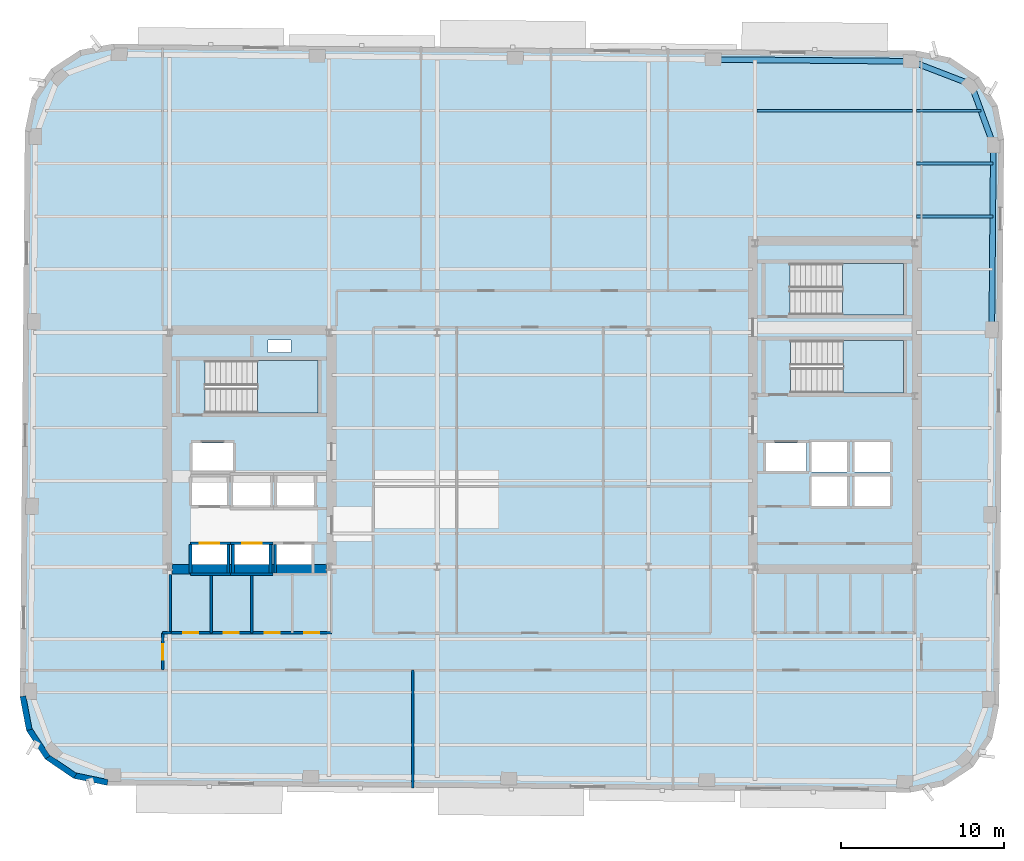
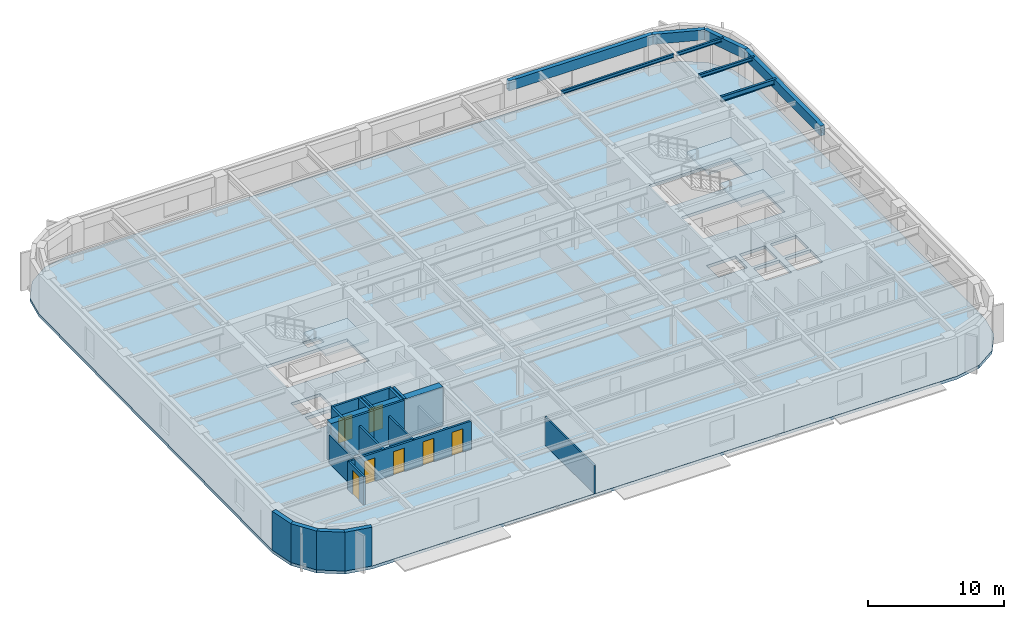
# One storey, part 3 of 12: 21 walls, 8 beams, 7 doors, 4 slabs, 7 openings, 3 elements without a shape of their own.
"""IFC4 building model written with IfcOpenShell, lengths in metres."""

from ifc_helpers import new_model, si_unit, direction, frame, frame_2d, origin, origin_2d, place, context, subcontext, project, spatial, polyline, rectangle, hollow_rectangle, i_section, outline, extrude, material, layer, layer_set, material_profile, profile_set, type_object, element, fill, aggregate, save


model = new_model("IFC4")

# Units and contexts
model_context = context("Model", 3, precision=1e-05, world=origin(), true_north=direction((0.0, 1.0)))
body_context = subcontext(model_context, "Body", "Model", "MODEL_VIEW")
ifc_project = project(units=[si_unit("LENGTHUNIT", "METRE"), si_unit("AREAUNIT", "SQUARE_METRE"), si_unit("VOLUMEUNIT", "CUBIC_METRE"), si_unit("PLANEANGLEUNIT", "RADIAN"), si_unit("MASSUNIT", "GRAM", prefix="KILO")], contexts=[model_context])

# Site, building, storey
site_placement = place(None, origin())
site = spatial("IfcSite", under=ifc_project, at=site_placement, CompositionType="ELEMENT")
building_placement = place(site_placement, origin())
building = spatial("IfcBuilding", under=site, at=building_placement, Name="Kolvaren Arena Tower", CompositionType="ELEMENT")
storey_placement = place(building_placement, frame((0.0, 0.0, 188.449951171875)))
storey = spatial("IfcBuildingStorey", under=building, at=storey_placement, Name="L45", CompositionType="ELEMENT", Elevation=188.449951171875)

# Beams
ifc_material_1 = material(Name="Steel CSA G40.21 350W", Category="steel")
ifc_material_profile_1 = material_profile(ifc_material_1, i_section(OverallWidth=0.193115234375, OverallDepth=0.462890625, WebThickness=0.0107421875, FlangeThickness=0.0205078125, FilletRadius=0.012939453125, at=origin_2d()), Name="W460x113")
ifc_profile_set_1 = profile_set([ifc_material_profile_1], Name="Steel CSA G40.21 350W")
beam_type_1 = type_object("IfcBeamType", Name="BEAM-F2", PredefinedType="BEAM", material=ifc_profile_set_1)
beam_1_placement = place(storey_placement, frame((60.4775390625, 41.0, 3.24853515625), z_axis=(1.0, 0.0, 0.0), x_axis=(0.0, 1.0, 0.0)))
element("IfcBeam", 1, at=beam_1_placement, inside=storey, type_object=beam_type_1, Name="Composite Floor Beam (L45)", PredefinedType="BEAM", context=body_context, shape_type="SweptSolid", body=[
    extrude(i_section(OverallWidth=0.193115234375, OverallDepth=0.462890625, WebThickness=0.0107421875, FlangeThickness=0.0205078125, FilletRadius=0.012939453125, at=origin_2d()), origin(), (0.0, 0.0, 1.0), 4.681884765625),
])
ifc_material_profile_2 = material_profile(ifc_material_1, i_section(OverallWidth=0.1669921875, OverallDepth=0.31689453125, WebThickness=0.007568359375, FlangeThickness=0.01318359375, FilletRadius=0.010009765625, at=origin_2d()), Name="W310x52")
ifc_profile_set_2 = profile_set([ifc_material_profile_2], Name="Steel CSA G40.21 350W")
beam_type_2 = type_object("IfcBeamType", Name="JOIST-02", PredefinedType="JOIST", material=ifc_profile_set_2)
beam_2_placement = place(storey_placement, frame((60.4775390625, 44.25, 3.321533203125), z_axis=(1.0, 0.0, 0.0), x_axis=(0.0, 1.0, 0.0)))
element("IfcBeam", 2, at=beam_2_placement, inside=storey, type_object=beam_type_2, Name="Composite Floor Joist (L45)", PredefinedType="JOIST", context=body_context, shape_type="SweptSolid", body=[
    extrude(i_section(OverallWidth=0.1669921875, OverallDepth=0.31689453125, WebThickness=0.007568359375, FlangeThickness=0.01318359375, FilletRadius=0.010009765625, at=origin_2d()), origin(), (0.0, 0.0, 1.0), 4.710205078125),
])
beam_3_placement = place(storey_placement, frame((50.677490234375, 47.5, 3.321533203125), z_axis=(1.0, 0.0, 0.0), x_axis=(0.0, 1.0, 0.0)))
element("IfcBeam", 3, at=beam_3_placement, inside=storey, type_object=beam_type_2, Name="Composite Floor Joist (L45)", PredefinedType="JOIST", context=body_context, shape_type="SweptSolid", body=[
    extrude(i_section(OverallWidth=0.1669921875, OverallDepth=0.31689453125, WebThickness=0.007568359375, FlangeThickness=0.01318359375, FilletRadius=0.010009765625, at=origin_2d()), origin(), (0.0, 0.0, 1.0), 9.544921875),
])
beam_4_placement = place(storey_placement, frame((60.4775390625, 47.5, 3.321533203125), z_axis=(1.0, 0.0, 0.0), x_axis=(0.0, 1.0, 0.0)))
element("IfcBeam", 4, at=beam_4_placement, inside=storey, type_object=beam_type_2, Name="Composite Floor Joist (L45)", PredefinedType="JOIST", context=body_context, shape_type="SweptSolid", body=[
    extrude(i_section(OverallWidth=0.1669921875, OverallDepth=0.31689453125, WebThickness=0.007568359375, FlangeThickness=0.01318359375, FilletRadius=0.010009765625, at=origin_2d()), origin(), (0.0, 0.0, 1.0), 3.950439453125),
])
ifc_material_2 = material(Name="Steel CSA G40.21 350WT", Category="steel")
ifc_material_profile_3 = material_profile(ifc_material_2, hollow_rectangle(XDim=0.35009765625, YDim=0.89990234375, WallThickness=0.02001953125, at=origin_2d()), Name="HSS 900x350x20")
ifc_profile_set_3 = profile_set([ifc_material_profile_3], Name="Steel CSA G40.21 350WT")
beam_type_3 = type_object("IfcBeamType", Name="SPAND-01", PredefinedType="SPANDREL", material=ifc_profile_set_3)
beam_5_placement = place(storey_placement, frame((65.098388671875, 34.026123046875, 3.030029296875), z_axis=(0.008741825937, 0.99996178951, 0.0), x_axis=(-0.99996178951, 0.008741825937, 0.0)))
element("IfcBeam", 5, at=beam_5_placement, inside=storey, type_object=beam_type_3, Name="Perimeter Spandrel Beam (L45)", PredefinedType="SPANDREL", context=body_context, shape_type="SweptSolid", body=[
    extrude(hollow_rectangle(XDim=0.35009765625, YDim=0.89990234375, WallThickness=0.02001953125, at=origin_2d()), origin(), (0.0, 0.0, 1.0), 11.36669921875),
])
for number, where, z_axis, x_axis, name in (
    (6, (65.19775390625, 45.392333984375, 3.030029296875), (-0.343059102458, 0.939313819882, 0.0), (-0.939313819882, -0.343059102458, 0.0), "Perimeter Spandrel Beam (L45)"),
    (7, (63.8388671875, 49.113037109375, 3.030029296875), (-0.933189846698, 0.359383792094, 0.0), (-0.359383792094, -0.933189846698, 0.0), "Perimeter Spandrel Beam (L45)"),
):
    element("IfcBeam", number, at=place(storey_placement, frame(where, z_axis=z_axis, x_axis=x_axis)), inside=storey, type_object=beam_type_3, Name=name, PredefinedType="SPANDREL", context=body_context, shape_type="SweptSolid", body=[
        extrude(hollow_rectangle(XDim=0.35009765625, YDim=0.89990234375, WallThickness=0.02001953125, at=origin_2d()), origin(), (0.0, 0.0, 1.0), 3.961181640625),
    ])
beam_6_placement = place(storey_placement, frame((60.142333984375, 50.53662109375, 3.030029296875), z_axis=(-0.99996195503, 0.008722871848, 0.0), x_axis=(-0.008722871848, -0.99996195503, 0.0)))
element("IfcBeam", 8, at=beam_6_placement, inside=storey, type_object=beam_type_3, Name="Perimeter Spandrel Beam (L45)", PredefinedType="SPANDREL", context=body_context, shape_type="SweptSolid", body=[
    extrude(hollow_rectangle(XDim=0.35009765625, YDim=0.89990234375, WallThickness=0.02001953125, at=origin_2d()), origin(), (0.0, 0.0, 1.0), 12.175048828125),
])

# Stair, slab
ifc_material_3 = material(Name="Concrete 45 MPa", Category="concrete")
stair_type_1 = type_object("IfcStairType", Name="STAIR-CORE-165", PredefinedType="HALF_TURN_STAIR", material=ifc_material_3)
stair_1_placement = place(storey_placement, origin())
stair_1 = element("IfcStair", 9, at=stair_1_placement, inside=storey, type_object=stair_type_1, Name="L45 ST-W1", PredefinedType="HALF_TURN_STAIR")
ifc_layer_1 = layer(ifc_material_3, 0.199951171875)
ifc_layer_set_1 = layer_set([ifc_layer_1], Name="Concrete 45 MPa")
slab_type_1 = type_object("IfcSlabType", Name="SLAB-LAND", PredefinedType="LANDING", material=ifc_layer_set_1)
slab_1_placement = place(storey_placement, frame((0.0, 0.0, 1.675048828125)))
slab_1 = element("IfcSlab", 10, at=slab_1_placement, type_object=slab_type_1, Name="ST-W1 landing 1", PredefinedType="LANDING", context=body_context, shape_type="SweptSolid", body=[
    extrude(outline(polyline([(19.9599609375, 28.89990234375), (23.659912109375, 28.89990234375), (23.659912109375, 32.1298828125), (19.9599609375, 32.1298828125), (19.9599609375, 28.89990234375)])), origin(), (0.0, 0.0, 1.0), 0.199951171875),
])
aggregate(stair_1, [slab_1])

stair_2_placement = place(storey_placement, origin())
stair_2 = element("IfcStair", 11, at=stair_2_placement, inside=storey, type_object=stair_type_1, Name="L45 ST-E1", PredefinedType="HALF_TURN_STAIR")
slab_2_placement = place(storey_placement, frame((0.0, 0.0, 1.675048828125)))
slab_2 = element("IfcSlab", 12, at=slab_2_placement, type_object=slab_type_1, Name="ST-E1 landing 1", PredefinedType="LANDING", context=body_context, shape_type="SweptSolid", body=[
    extrude(outline(polyline([(55.9599609375, 30.14990234375), (59.659912109375, 30.14990234375), (59.659912109375, 33.3798828125), (55.9599609375, 33.3798828125), (55.9599609375, 30.14990234375)])), origin(), (0.0, 0.0, 1.0), 0.199951171875),
])
aggregate(stair_2, [slab_2])

stair_type_2 = type_object("IfcStairType", Name="STAIR-CORE-150", PredefinedType="HALF_TURN_STAIR", material=ifc_material_3)
stair_3_placement = place(storey_placement, origin())
stair_3 = element("IfcStair", 13, at=stair_3_placement, inside=storey, type_object=stair_type_2, Name="L45 ST-E2", PredefinedType="HALF_TURN_STAIR")
slab_3_placement = place(storey_placement, frame((0.0, 0.0, 1.675048828125)))
slab_3 = element("IfcSlab", 14, at=slab_3_placement, type_object=slab_type_1, Name="ST-E2 landing 1", PredefinedType="LANDING", context=body_context, shape_type="SweptSolid", body=[
    extrude(outline(polyline([(55.919921875, 34.949951171875), (59.659912109375, 34.949951171875), (59.659912109375, 38.10009765625), (55.919921875, 38.10009765625), (55.919921875, 34.949951171875)])), origin(), (0.0, 0.0, 1.0), 0.199951171875),
])
aggregate(stair_3, [slab_3])

# Slab
ifc_layer_2 = layer(ifc_material_3, 0.27001953125)
ifc_layer_set_2 = layer_set([ifc_layer_2], Name="Concrete 45 MPa")
slab_type_2 = type_object("IfcSlabType", Name="SLAB-OFF2", PredefinedType="FLOOR", material=ifc_layer_set_2)
slab_4_placement = place(storey_placement, frame((0.0, 0.0, -0.27001953125)))
element("IfcSlab", 15, at=slab_4_placement, inside=storey, type_object=slab_type_2, Name="L45 Primary Structural Slab", PredefinedType="FLOOR", context=body_context, shape_type="SweptSolid", body=[
    extrude(outline(polyline([(60.10009765625, 5.585205078125), (62.170166015625, 5.978271484375), (63.93212890625, 7.133544921875), (65.117919921875, 8.875244140625), (65.547119140625, 10.93798828125), (65.8505859375, 45.73681640625), (65.457763671875, 47.806640625), (64.302490234375, 49.568603515625), (62.560791015625, 50.75439453125), (60.498046875, 51.18359375), (11.099853515625, 51.61474609375), (9.02978515625, 51.2216796875), (7.267822265625, 50.06640625), (6.08203125, 48.32470703125), (5.653076171875, 46.261962890625), (5.349365234375, 11.46337890625), (5.7421875, 9.393310546875), (6.8974609375, 7.63134765625), (8.63916015625, 6.445556640625), (10.701904296875, 6.016357421875), (60.10009765625, 5.585205078125)]), holes=[polyline([(15.93505859375, 19.0849609375), (15.93505859375, 20.81494140625), (18.06494140625, 20.81494140625), (18.06494140625, 19.0849609375), (15.93505859375, 19.0849609375)]), polyline([(18.534912109375, 19.0849609375), (18.534912109375, 20.81494140625), (20.6650390625, 20.81494140625), (20.6650390625, 19.0849609375), (18.534912109375, 19.0849609375)]), polyline([(21.135009765625, 19.0849609375), (21.135009765625, 20.81494140625), (23.264892578125, 20.81494140625), (23.264892578125, 19.0849609375), (21.135009765625, 19.0849609375)]), polyline([(18.4599609375, 23.135009765625), (18.4599609375, 25.06494140625), (20.739990234375, 25.06494140625), (20.739990234375, 23.135009765625), (18.4599609375, 23.135009765625)]), polyline([(21.159912109375, 23.135009765625), (21.159912109375, 25.06494140625), (23.43994140625, 25.06494140625), (23.43994140625, 23.135009765625), (21.159912109375, 23.135009765625)]), polyline([(54.030029296875, 23.18505859375), (54.030029296875, 25.014892578125), (56.2099609375, 25.014892578125), (56.2099609375, 23.18505859375), (54.030029296875, 23.18505859375)]), polyline([(56.669921875, 23.18505859375), (56.669921875, 25.014892578125), (58.85009765625, 25.014892578125), (58.85009765625, 23.18505859375), (56.669921875, 23.18505859375)]), polyline([(15.93505859375, 23.235107421875), (15.93505859375, 24.965087890625), (18.06494140625, 24.965087890625), (18.06494140625, 23.235107421875), (15.93505859375, 23.235107421875)]), polyline([(54.030029296875, 25.284912109375), (54.030029296875, 27.114990234375), (56.2099609375, 27.114990234375), (56.2099609375, 25.284912109375), (54.030029296875, 25.284912109375)]), polyline([(56.669921875, 25.284912109375), (56.669921875, 27.114990234375), (58.85009765625, 27.114990234375), (58.85009765625, 25.284912109375), (56.669921875, 25.284912109375)]), polyline([(15.9599609375, 25.3349609375), (15.9599609375, 27.06494140625), (18.43994140625, 27.06494140625), (18.43994140625, 25.3349609375), (15.9599609375, 25.3349609375)]), polyline([(51.219970703125, 25.3349609375), (51.219970703125, 27.06494140625), (53.699951171875, 27.06494140625), (53.699951171875, 25.3349609375), (51.219970703125, 25.3349609375)]), polyline([(16.735107421875, 28.89990234375), (16.735107421875, 32.1298828125), (23.659912109375, 32.1298828125), (23.659912109375, 28.89990234375), (16.735107421875, 28.89990234375)]), polyline([(52.735107421875, 30.14990234375), (52.735107421875, 33.3798828125), (59.659912109375, 33.3798828125), (59.659912109375, 30.14990234375), (52.735107421875, 30.14990234375)]), polyline([(20.60009765625, 32.6201171875), (20.60009765625, 33.39990234375), (22.0, 33.39990234375), (22.0, 32.6201171875), (20.60009765625, 32.6201171875)]), polyline([(52.695068359375, 34.949951171875), (52.695068359375, 38.10009765625), (59.659912109375, 38.10009765625), (59.659912109375, 34.949951171875), (52.695068359375, 34.949951171875)])]), origin(), (0.0, 0.0, 1.0), 0.27001953125),
])

# Wall, opening, door
ifc_material_4 = material(Name="Gypsum board acoustic assembly", Category="gypsum")
ifc_layer_3 = layer(ifc_material_4, 0.159912109375)
ifc_layer_set_3 = layer_set([ifc_layer_3], Name="Gypsum board acoustic assembly")
wall_type_1 = type_object("IfcWallType", Name="CORR-160", PredefinedType="PARTITIONING", material=ifc_layer_set_3)
wall_1_placement = place(storey_placement, frame((14.1201171875, 13.10009765625, 0.0), z_axis=(0.0, 0.0, 1.0), x_axis=(0.0, 1.0, 0.0)))
wall_1 = element("IfcWall", 16, at=wall_1_placement, inside=storey, type_object=wall_type_1, Name="Interior Partition Wall (L45)", PredefinedType="PARTITIONING", context=body_context, shape_type="SweptSolid", body=[
    extrude(rectangle(XDim=2.2998046875, YDim=0.159912109375, at=frame_2d((1.14990234375, 0.0))), origin(), (0.0, 0.0, 1.0), 2.5400390625),
])
opening_1_placement = place(wall_1_placement, frame((0.64990234375, 0.0, 0.0)))
opening_1 = element("IfcOpeningElement", 17, at=opening_1_placement, cuts=wall_1, Name="Opening D05", PredefinedType="OPENING", context=body_context, shape_type="SweptSolid", body=[
    extrude(rectangle(XDim=0.949951171875, YDim=2.14990234375, at=frame_2d((0.47509765625, 1.074951171875))), frame((0.0, 0.08984375, 0.0), z_axis=(0.0, -1.0, 0.0), x_axis=(1.0, 0.0, 0.0)), (0.0, 0.0, 1.0), 0.179931640625),
])
ifc_material_5 = material(Name="Solid-core oak acoustic office door", Category="wood")
door_type_1 = type_object("IfcDoorType", Name="DOOR-OF-095", OperationType="NOTDEFINED", PredefinedType="DOOR", material=ifc_material_5)
door_1_placement = place(opening_1_placement, origin())
door_1 = element("IfcDoor", 18, at=door_1_placement, inside=storey, type_object=door_type_1, Name="West Wing Office Door (L45)", OperationType="SINGLE_SWING_LEFT", OverallHeight=2.14990234375, OverallWidth=0.949951171875, PredefinedType="DOOR", context=body_context, shape_type="SweptSolid", body=[
    extrude(rectangle(XDim=0.949951171875, YDim=2.14990234375, at=frame_2d((0.47509765625, 1.074951171875))), frame((0.0, 0.02490234375, 0.0), z_axis=(0.0, -1.0, 0.0), x_axis=(1.0, 0.0, 0.0)), (0.0, 0.0, 1.0), 0.050048828125),
])
fill(opening_1, door_1)

# Walls
wall_2_placement = place(storey_placement, frame((14.1201171875, 15.39990234375, 0.0), z_axis=(0.0, 0.0, 1.0), x_axis=(1.0, 0.0, 0.0)))
element("IfcWall", 19, at=wall_2_placement, inside=storey, type_object=wall_type_1, Name="Interior Partition Wall (L45)", PredefinedType="PARTITIONING", context=body_context, shape_type="SweptSolid", body=[
    extrude(rectangle(XDim=0.5, YDim=0.159912109375, at=frame_2d((0.25, 0.0))), origin(), (0.0, 0.0, 1.0), 2.5400390625),
])
ifc_material_6 = material(Name="Concrete 60 MPa", Category="concrete")
ifc_layer_4 = layer(ifc_material_6, 0.60009765625)
ifc_layer_set_4 = layer_set([ifc_layer_4], Name="Concrete 60 MPa")
wall_type_2 = type_object("IfcWallType", Name="CWALL-600", PredefinedType="SHEAR", material=ifc_layer_set_4)
wall_3_placement = place(storey_placement, frame((14.699951171875, 19.300048828125, -0.27001953125), z_axis=(0.0, 0.0, 1.0), x_axis=(1.0, 0.0, 0.0)))
element("IfcWall", 20, at=wall_3_placement, inside=storey, type_object=wall_type_2, Name="Core Shear Wall WC-SOUTH (L45)", PredefinedType="SHEAR", context=body_context, shape_type="SweptSolid", body=[
    extrude(rectangle(XDim=9.5, YDim=0.60009765625, at=frame_2d((4.75, 0.0))), origin(), (0.0, 0.0, 1.0), 3.75),
])
ifc_material_7 = material(Name="Precast concrete C50/60", Category="concrete")
ifc_layer_5 = layer(ifc_material_7, 0.360107421875)
ifc_layer_set_5 = layer_set([ifc_layer_5], Name="Precast concrete C50/60")
wall_type_3 = type_object("IfcWallType", Name="EXT-PIER2", PredefinedType="SOLIDWALL", material=ifc_layer_set_5)
for number, where, z_axis, x_axis, name in (
    (21, (5.919189453125, 9.427001953125, 0.0), (0.0, 0.0, 1.0), (-0.186568933123, 0.982441872679, 0.0), "Exterior Precast Masonry-Frame Wall (L45)"),
    (22, (7.048095703125, 7.72998046875, 0.0), (0.0, 0.0, 1.0), (-0.548319766745, 0.836268756678, 0.0), "Exterior Precast Masonry-Frame Wall (L45)"),
    (23, (8.740478515625, 6.59423828125, 0.0), (0.0, 0.0, 1.0), (-0.826609569219, 0.56277581689, 0.0), "Exterior Precast Masonry-Frame Wall (L45)"),
):
    element("IfcWall", number, at=place(storey_placement, frame(where, z_axis=z_axis, x_axis=x_axis)), inside=storey, type_object=wall_type_3, Name=name, PredefinedType="SOLIDWALL", context=body_context, shape_type="SweptSolid", body=[
        extrude(rectangle(XDim=2.10693359375, YDim=0.360107421875, at=frame_2d((1.053466796875, 0.0))), origin(), (0.0, 0.0, 1.0), 3.47998046875),
    ])
wall_4_placement = place(storey_placement, frame((10.73876953125, 6.192626953125, 0.0), z_axis=(0.0, 0.0, 1.0), x_axis=(-0.979059388908, 0.203574833883, 0.0)))
element("IfcWall", 24, at=wall_4_placement, inside=storey, type_object=wall_type_3, Name="Exterior Precast Masonry-Frame Wall (L45)", PredefinedType="SOLIDWALL", context=body_context, shape_type="SweptSolid", body=[
    extrude(rectangle(XDim=2.107177734375, YDim=0.360107421875, at=frame_2d((1.0537109375, 0.0))), origin(), (0.0, 0.0, 1.0), 3.47998046875),
])
ifc_material_8 = material(Name="Gypsum board partition assembly", Category="gypsum")
ifc_layer_6 = layer(ifc_material_8, 0.135009765625)
ifc_layer_set_6 = layer_set([ifc_layer_6], Name="Gypsum board partition assembly")
wall_type_4 = type_object("IfcWallType", Name="PART-135", PredefinedType="PARTITIONING", material=ifc_layer_set_6)
wall_5_placement = place(storey_placement, frame((29.5, 5.852294921875, 0.0), z_axis=(0.0, 0.0, 1.0), x_axis=(0.0, 1.0, 0.0)))
element("IfcWall", 25, at=wall_5_placement, inside=storey, type_object=wall_type_4, Name="Interior Partition Wall (L45)", PredefinedType="PARTITIONING", context=body_context, shape_type="SweptSolid", body=[
    extrude(rectangle(XDim=7.247802734375, YDim=0.135009765625, at=frame_2d((3.6240234375, 0.0))), origin(), (0.0, 0.0, 1.0), 2.5400390625),
])

# Wall, opening, door
ifc_layer_7 = layer(ifc_material_3, 0.25)
ifc_layer_set_7 = layer_set([ifc_layer_7], Name="Concrete 45 MPa")
wall_type_5 = type_object("IfcWallType", Name="SHAFT-250", PredefinedType="SOLIDWALL", material=ifc_layer_set_7)
wall_6_placement = place(storey_placement, frame((15.844970703125, 20.905029296875, 0.0), z_axis=(0.0, 0.0, 1.0), x_axis=(1.0, 0.0, 0.0)))
wall_6 = element("IfcWall", 26, at=wall_6_placement, inside=storey, type_object=wall_type_5, Name="Core Shaft Wall (L45)", PredefinedType="SOLIDWALL", context=body_context, shape_type="SweptSolid", body=[
    extrude(rectangle(XDim=2.455078125, YDim=0.179931640625, at=frame_2d((1.2275390625, 0.0))), origin(), (0.0, 0.0, 1.0), 3.47998046875),
])
opening_2_placement = place(wall_6_placement, frame((0.554931640625, 0.0, 0.0)))
opening_2 = element("IfcOpeningElement", 27, at=opening_2_placement, cuts=wall_6, Name="Opening LD1", PredefinedType="OPENING", context=body_context, shape_type="SweptSolid", body=[
    extrude(rectangle(XDim=1.199951171875, YDim=2.199951171875, at=frame_2d((0.60009765625, 1.10009765625))), frame((0.0, 0.099853515625, 0.0), z_axis=(0.0, -1.0, 0.0), x_axis=(1.0, 0.0, 0.0)), (0.0, 0.0, 1.0), 0.199951171875),
])
ifc_material_9 = material(Name="Stainless steel passenger lift landing door", Category="steel")
door_type_2 = type_object("IfcDoorType", Name="DOOR-LD-120", OperationType="DOUBLE_DOOR_SLIDING", PredefinedType="DOOR", material=ifc_material_9)
door_2_placement = place(opening_2_placement, origin())
door_2 = element("IfcDoor", 28, at=door_2_placement, inside=storey, type_object=door_type_2, Name="Lift EL-MR1 Landing Door (L45)", OperationType="DOUBLE_DOOR_SLIDING", OverallHeight=2.199951171875, OverallWidth=1.199951171875, PredefinedType="DOOR", context=body_context, shape_type="SweptSolid", body=[
    extrude(rectangle(XDim=1.199951171875, YDim=2.199951171875, at=frame_2d((0.60009765625, 1.10009765625))), frame((0.0, 0.02490234375, 0.0), z_axis=(0.0, -1.0, 0.0), x_axis=(1.0, 0.0, 0.0)), (0.0, 0.0, 1.0), 0.050048828125),
])
fill(opening_2, door_2)

# Walls
wall_7_placement = place(storey_placement, frame((15.844970703125, 18.9951171875, 0.0), z_axis=(0.0, 0.0, 1.0), x_axis=(1.0, 0.0, 0.0)))
element("IfcWall", 29, at=wall_7_placement, inside=storey, type_object=wall_type_5, Name="Core Shaft Wall (L45)", PredefinedType="SOLIDWALL", context=body_context, shape_type="SweptSolid", body=[
    extrude(rectangle(XDim=2.455078125, YDim=0.179931640625, at=frame_2d((1.2275390625, 0.0))), origin(), (0.0, 0.0, 1.0), 3.47998046875),
])
for number, where, z_axis, x_axis, name in (
    (30, (15.844970703125, 19.0849609375, 0.0), (0.0, 0.0, 1.0), (0.0, 1.0, 0.0), "Core Shaft Wall (L45)"),
    (31, (18.155029296875, 19.0849609375, 0.0), (0.0, 0.0, 1.0), (0.0, 1.0, 0.0), "Core Shaft Wall (L45)"),
):
    element("IfcWall", number, at=place(storey_placement, frame(where, z_axis=z_axis, x_axis=x_axis)), inside=storey, type_object=wall_type_5, Name=name, PredefinedType="SOLIDWALL", context=body_context, shape_type="SweptSolid", body=[
        extrude(rectangle(XDim=1.72998046875, YDim=0.179931640625, at=frame_2d((0.864990234375, 0.0))), origin(), (0.0, 0.0, 1.0), 3.47998046875),
    ])

# Wall, opening, door
wall_8_placement = place(storey_placement, frame((18.300048828125, 20.905029296875, 0.0), z_axis=(0.0, 0.0, 1.0), x_axis=(1.0, 0.0, 0.0)))
wall_8 = element("IfcWall", 32, at=wall_8_placement, inside=storey, type_object=wall_type_5, Name="Core Shaft Wall (L45)", PredefinedType="SOLIDWALL", context=body_context, shape_type="SweptSolid", body=[
    extrude(rectangle(XDim=2.599853515625, YDim=0.179931640625, at=frame_2d((1.2998046875, 0.0))), origin(), (0.0, 0.0, 1.0), 3.47998046875),
])
opening_3_placement = place(wall_8_placement, frame((0.699951171875, 0.0, 0.0)))
opening_3 = element("IfcOpeningElement", 33, at=opening_3_placement, cuts=wall_8, Name="Opening LD1", PredefinedType="OPENING", context=body_context, shape_type="SweptSolid", body=[
    extrude(rectangle(XDim=1.199951171875, YDim=2.199951171875, at=frame_2d((0.60009765625, 1.10009765625))), frame((0.0, 0.099853515625, 0.0), z_axis=(0.0, -1.0, 0.0), x_axis=(1.0, 0.0, 0.0)), (0.0, 0.0, 1.0), 0.199951171875),
])
door_3_placement = place(opening_3_placement, origin())
door_3 = element("IfcDoor", 34, at=door_3_placement, inside=storey, type_object=door_type_2, Name="Lift EL-MR2 Landing Door (L45)", OperationType="DOUBLE_DOOR_SLIDING", OverallHeight=2.199951171875, OverallWidth=1.199951171875, PredefinedType="DOOR", context=body_context, shape_type="SweptSolid", body=[
    extrude(rectangle(XDim=1.199951171875, YDim=2.199951171875, at=frame_2d((0.60009765625, 1.10009765625))), frame((0.0, 0.02490234375, 0.0), z_axis=(0.0, -1.0, 0.0), x_axis=(1.0, 0.0, 0.0)), (0.0, 0.0, 1.0), 0.050048828125),
])
fill(opening_3, door_3)

# Walls
wall_9_placement = place(storey_placement, frame((18.300048828125, 18.9951171875, 0.0), z_axis=(0.0, 0.0, 1.0), x_axis=(1.0, 0.0, 0.0)))
element("IfcWall", 35, at=wall_9_placement, inside=storey, type_object=wall_type_5, Name="Core Shaft Wall (L45)", PredefinedType="SOLIDWALL", context=body_context, shape_type="SweptSolid", body=[
    extrude(rectangle(XDim=2.599853515625, YDim=0.179931640625, at=frame_2d((1.2998046875, 0.0))), origin(), (0.0, 0.0, 1.0), 3.47998046875),
])
for number, where, z_axis, x_axis, name in (
    (36, (18.445068359375, 19.0849609375, 0.0), (0.0, 0.0, 1.0), (0.0, 1.0, 0.0), "Core Shaft Wall (L45)"),
    (37, (20.7548828125, 19.0849609375, 0.0), (0.0, 0.0, 1.0), (0.0, 1.0, 0.0), "Core Shaft Wall (L45)"),
    (38, (21.044921875, 19.0849609375, 0.0), (0.0, 0.0, 1.0), (0.0, 1.0, 0.0), "Core Shaft Wall (L45)"),
):
    element("IfcWall", number, at=place(storey_placement, frame(where, z_axis=z_axis, x_axis=x_axis)), inside=storey, type_object=wall_type_5, Name=name, PredefinedType="SOLIDWALL", context=body_context, shape_type="SweptSolid", body=[
        extrude(rectangle(XDim=1.72998046875, YDim=0.179931640625, at=frame_2d((0.864990234375, 0.0))), origin(), (0.0, 0.0, 1.0), 3.47998046875),
    ])
ifc_material_10 = material(Name="Moisture-resistant gypsum assembly", Category="gypsum")
ifc_layer_8 = layer(ifc_material_10, 0.14990234375)
ifc_layer_set_8 = layer_set([ifc_layer_8], Name="Moisture-resistant gypsum assembly")
wall_type_6 = type_object("IfcWallType", Name="WETW-150", PredefinedType="PARTITIONING", material=ifc_layer_set_8)
for number, where, z_axis, x_axis, name in (
    (39, (17.10009765625, 15.39990234375, 0.0), (0.0, 0.0, 1.0), (0.0, 1.0, 0.0), "Interior Partition Wall (L45)"),
    (40, (19.60009765625, 15.39990234375, 0.0), (0.0, 0.0, 1.0), (0.0, 1.0, 0.0), "Interior Partition Wall (L45)"),
):
    element("IfcWall", number, at=place(storey_placement, frame(where, z_axis=z_axis, x_axis=x_axis)), inside=storey, type_object=wall_type_6, Name=name, PredefinedType="PARTITIONING", context=body_context, shape_type="SweptSolid", body=[
        extrude(rectangle(XDim=3.580078125, YDim=0.14990234375, at=frame_2d((1.7900390625, 0.0))), origin(), (0.0, 0.0, 1.0), 2.5400390625),
    ])

# Wall, openings, doors
wall_10_placement = place(storey_placement, frame((14.60009765625, 15.39990234375, 0.0), z_axis=(0.0, 0.0, 1.0), x_axis=(1.0, 0.0, 0.0)))
wall_10 = element("IfcWall", 41, at=wall_10_placement, inside=storey, type_object=wall_type_6, Name="Interior Partition Wall (L45)", PredefinedType="PARTITIONING", context=body_context, shape_type="SweptSolid", body=[
    extrude(rectangle(XDim=9.89990234375, YDim=0.179931640625, at=frame_2d((4.949951171875, 0.0))), origin(), (0.0, 0.0, 1.0), 2.5400390625),
])
opening_4_placement = place(wall_10_placement, frame((0.7900390625, 0.0, 0.0)))
opening_4 = element("IfcOpeningElement", 42, at=opening_4_placement, cuts=wall_10, Name="Opening D07", PredefinedType="OPENING", context=body_context, shape_type="SweptSolid", body=[
    extrude(rectangle(XDim=0.919921875, YDim=2.10009765625, at=frame_2d((0.4599609375, 1.050048828125))), frame((0.0, 0.099853515625, 0.0), z_axis=(0.0, -1.0, 0.0), x_axis=(1.0, 0.0, 0.0)), (0.0, 0.0, 1.0), 0.199951171875),
])
opening_5_placement = place(wall_10_placement, frame((3.2900390625, 0.0, 0.0)))
opening_5 = element("IfcOpeningElement", 43, at=opening_5_placement, cuts=wall_10, Name="Opening D07", PredefinedType="OPENING", context=body_context, shape_type="SweptSolid", body=[
    extrude(rectangle(XDim=0.919921875, YDim=2.10009765625, at=frame_2d((0.4599609375, 1.050048828125))), frame((0.0, 0.099853515625, 0.0), z_axis=(0.0, -1.0, 0.0), x_axis=(1.0, 0.0, 0.0)), (0.0, 0.0, 1.0), 0.199951171875),
])
opening_6_placement = place(wall_10_placement, frame((5.7900390625, 0.0, 0.0)))
opening_6 = element("IfcOpeningElement", 44, at=opening_6_placement, cuts=wall_10, Name="Opening D07", PredefinedType="OPENING", context=body_context, shape_type="SweptSolid", body=[
    extrude(rectangle(XDim=0.919921875, YDim=2.10009765625, at=frame_2d((0.4599609375, 1.050048828125))), frame((0.0, 0.099853515625, 0.0), z_axis=(0.0, -1.0, 0.0), x_axis=(1.0, 0.0, 0.0)), (0.0, 0.0, 1.0), 0.199951171875),
])
opening_7_placement = place(wall_10_placement, frame((8.239990234375, 0.0, 0.0)))
opening_7 = element("IfcOpeningElement", 45, at=opening_7_placement, cuts=wall_10, Name="Opening D07", PredefinedType="OPENING", context=body_context, shape_type="SweptSolid", body=[
    extrude(rectangle(XDim=0.919921875, YDim=2.10009765625, at=frame_2d((0.4599609375, 1.050048828125))), frame((0.0, 0.099853515625, 0.0), z_axis=(0.0, -1.0, 0.0), x_axis=(1.0, 0.0, 0.0)), (0.0, 0.0, 1.0), 0.199951171875),
])
ifc_material_11 = material(Name="Laminate universal washroom door", Category="wood")
door_type_3 = type_object("IfcDoorType", Name="DOOR-WC-092", OperationType="NOTDEFINED", PredefinedType="DOOR", material=ifc_material_11)
door_4_placement = place(opening_4_placement, origin())
door_4 = element("IfcDoor", 46, at=door_4_placement, inside=storey, type_object=door_type_3, Name="Women Restroom Door (L45)", OperationType="SINGLE_SWING_LEFT", OverallHeight=2.10009765625, OverallWidth=0.919921875, PredefinedType="DOOR", context=body_context, shape_type="SweptSolid", body=[
    extrude(rectangle(XDim=0.919921875, YDim=2.10009765625, at=frame_2d((0.4599609375, 1.050048828125))), frame((0.0, 0.02490234375, 0.0), z_axis=(0.0, -1.0, 0.0), x_axis=(1.0, 0.0, 0.0)), (0.0, 0.0, 1.0), 0.050048828125),
])
fill(opening_4, door_4)
door_5_placement = place(opening_5_placement, origin())
door_5 = element("IfcDoor", 47, at=door_5_placement, inside=storey, type_object=door_type_3, Name="Men Restroom Door (L45)", OperationType="SINGLE_SWING_RIGHT", OverallHeight=2.10009765625, OverallWidth=0.919921875, PredefinedType="DOOR", context=body_context, shape_type="SweptSolid", body=[
    extrude(rectangle(XDim=0.919921875, YDim=2.10009765625, at=frame_2d((0.4599609375, 1.050048828125))), frame((0.0, 0.02490234375, 0.0), z_axis=(0.0, -1.0, 0.0), x_axis=(1.0, 0.0, 0.0)), (0.0, 0.0, 1.0), 0.050048828125),
])
fill(opening_5, door_5)
door_6_placement = place(opening_6_placement, origin())
door_6 = element("IfcDoor", 48, at=door_6_placement, inside=storey, type_object=door_type_3, Name="Universal Barrier-Free Washroom Door (L45)", OperationType="SINGLE_SWING_LEFT", OverallHeight=2.10009765625, OverallWidth=0.919921875, PredefinedType="DOOR", context=body_context, shape_type="SweptSolid", body=[
    extrude(rectangle(XDim=0.919921875, YDim=2.10009765625, at=frame_2d((0.4599609375, 1.050048828125))), frame((0.0, 0.02490234375, 0.0), z_axis=(0.0, -1.0, 0.0), x_axis=(1.0, 0.0, 0.0)), (0.0, 0.0, 1.0), 0.050048828125),
])
fill(opening_6, door_6)
door_7_placement = place(opening_7_placement, origin())
door_7 = element("IfcDoor", 49, at=door_7_placement, inside=storey, type_object=door_type_3, Name="Linen Store Door (L45)", OperationType="SINGLE_SWING_RIGHT", OverallHeight=2.10009765625, OverallWidth=0.919921875, PredefinedType="DOOR", context=body_context, shape_type="SweptSolid", body=[
    extrude(rectangle(XDim=0.919921875, YDim=2.10009765625, at=frame_2d((0.4599609375, 1.050048828125))), frame((0.0, 0.02490234375, 0.0), z_axis=(0.0, -1.0, 0.0), x_axis=(1.0, 0.0, 0.0)), (0.0, 0.0, 1.0), 0.050048828125),
])
fill(opening_7, door_7)

# Wall
wall_11_placement = place(storey_placement, frame((14.60009765625, 15.39990234375, 0.0), z_axis=(0.0, 0.0, 1.0), x_axis=(0.0, 1.0, 0.0)))
element("IfcWall", 50, at=wall_11_placement, inside=storey, type_object=wall_type_6, Name="Interior Partition Wall (L45)", PredefinedType="PARTITIONING", context=body_context, shape_type="SweptSolid", body=[
    extrude(rectangle(XDim=3.580078125, YDim=0.14990234375, at=frame_2d((1.7900390625, 0.0))), origin(), (0.0, 0.0, 1.0), 2.5400390625),
])

save(model, "model.ifc")
